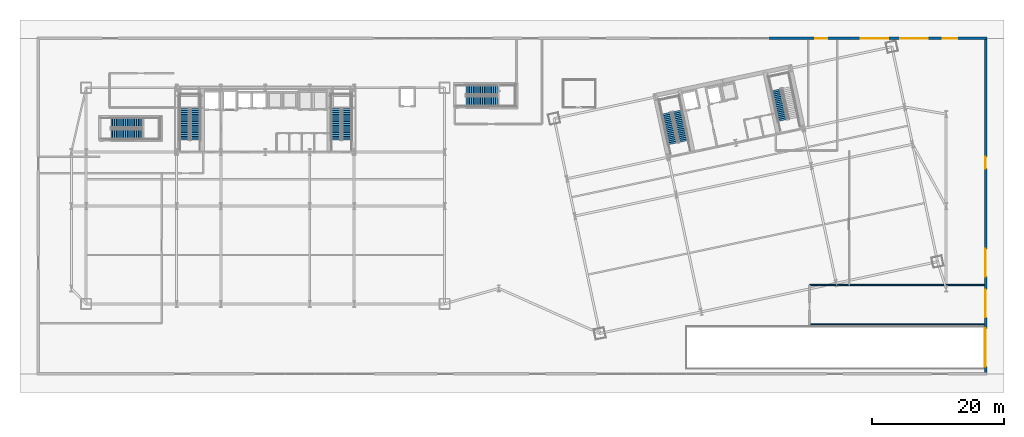
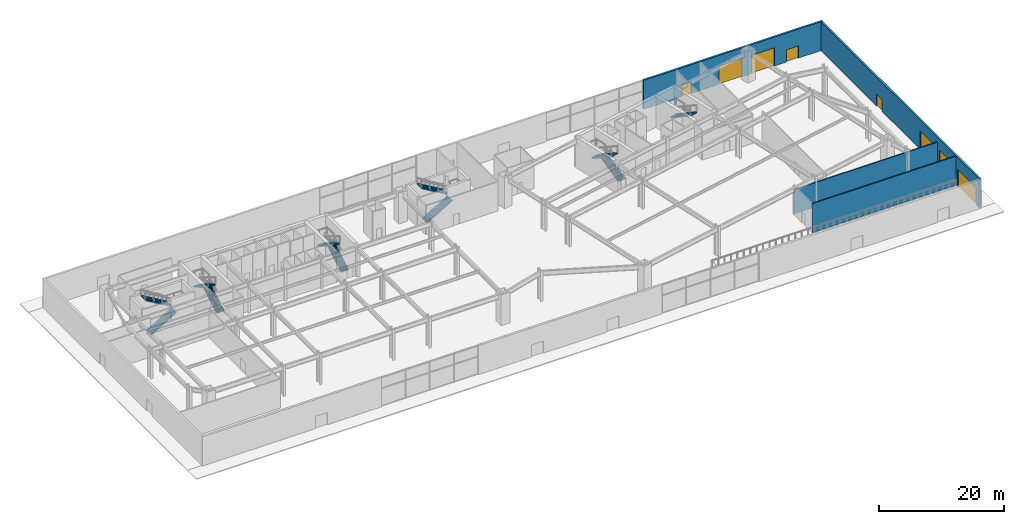
# One storey, part 24 of 30: 11 stair flights, 8 doors, 4 walls, 8 openings, 6 elements without a shape of their own.
"""IFC4 building model written with IfcOpenShell, lengths in metres."""

from ifc_helpers import new_model, si_unit, direction, frame, frame_2d, origin, place, context, subcontext, project, spatial, polyline, rectangle, outline, extrude, material, layer, layer_set, type_object, element, fill, aggregate, save


model = new_model("IFC4")

# Units and contexts
model_context = context("Model", 3, precision=1e-05, world=origin(), true_north=direction((0.0, 1.0)))
body_context = subcontext(model_context, "Body", "Model", "MODEL_VIEW")
ifc_project = project(units=[si_unit("LENGTHUNIT", "METRE"), si_unit("AREAUNIT", "SQUARE_METRE"), si_unit("VOLUMEUNIT", "CUBIC_METRE"), si_unit("PLANEANGLEUNIT", "RADIAN"), si_unit("MASSUNIT", "GRAM", prefix="KILO")], contexts=[model_context])

# Site, building, storey
site_placement = place(None, origin())
site = spatial("IfcSite", under=ifc_project, at=site_placement, CompositionType="ELEMENT")
building_placement = place(site_placement, origin())
building = spatial("IfcBuilding", under=site, at=building_placement, Name="Haevon Station Towers", CompositionType="ELEMENT")
storey_placement = place(building_placement, origin())
storey = spatial("IfcBuildingStorey", under=building, at=storey_placement, Name="L00", CompositionType="ELEMENT", Elevation=0.0)

# Walls
ifc_material_1 = material(Name="Gypsum board on steel stud", Category="steel")
ifc_layer_1 = layer(ifc_material_1, 0.199951171875)
ifc_layer_set_1 = layer_set([ifc_layer_1], Name="Gypsum board on steel stud")
wall_type_1 = type_object("IfcWallType", Name="WL-COR200", PredefinedType="PARTITIONING", material=ifc_layer_set_1)
wall_1_placement = place(storey_placement, frame((120.25, 12.0, 0.0), z_axis=(0.0, 0.0, 1.0), x_axis=(1.0, 0.0, 0.0)))
element("IfcWall", 1, at=wall_1_placement, inside=storey, type_object=wall_type_1, Name="WL-L00-LOADS", PredefinedType="PARTITIONING", context=body_context, shape_type="SweptSolid", body=[
    extrude(rectangle(XDim=26.550048828125, YDim=0.199951171875, at=frame_2d((13.27490234375, 0.0))), origin(), (0.0, 0.0, 1.0), 5.679931640625),
])
wall_2_placement = place(storey_placement, frame((120.25, 18.0, 0.0), z_axis=(0.0, 0.0, 1.0), x_axis=(1.0, 0.0, 0.0)))
element("IfcWall", 2, at=wall_2_placement, inside=storey, type_object=wall_type_1, Name="WL-L00-LOADN", PredefinedType="PARTITIONING", context=body_context, shape_type="SweptSolid", body=[
    extrude(rectangle(XDim=26.550048828125, YDim=0.199951171875, at=frame_2d((13.27490234375, 0.0))), origin(), (0.0, 0.0, 1.0), 4.780029296875),
])

# Wall, openings, doors
ifc_material_2 = material(Name="Precast concrete C45/55", Category="concrete")
ifc_layer_2 = layer(ifc_material_2, 0.360107421875)
ifc_layer_set_2 = layer_set([ifc_layer_2], Name="Precast concrete C45/55")
wall_type_2 = type_object("IfcWallType", Name="WL-EXT-POD360", PredefinedType="SOLIDWALL", material=ifc_layer_set_2)
wall_3_placement = place(storey_placement, frame((114.0, 55.5, 0.0), z_axis=(0.0, 0.0, 1.0), x_axis=(1.0, 0.0, 0.0)))
wall_3 = element("IfcWall", 3, at=wall_3_placement, inside=storey, type_object=wall_type_2, Name="WL-POD-L00-N3", PredefinedType="SOLIDWALL", context=body_context, shape_type="SweptSolid", body=[
    extrude(rectangle(XDim=33.179931640625, YDim=0.360107421875, at=frame_2d((16.58984375, 0.0))), origin(), (0.0, 0.0, 1.0), 5.679931640625),
])
opening_1_placement = place(wall_3_placement, frame((26.5, 0.0, 0.0)))
opening_1 = element("IfcOpeningElement", 4, at=opening_1_placement, cuts=wall_3, Name="Opening DR-L00-EXIT-08", PredefinedType="OPENING", context=body_context, shape_type="SweptSolid", body=[
    extrude(rectangle(XDim=2.199951171875, YDim=2.39990234375, at=frame_2d((1.10009765625, 1.199951171875))), frame((0.0, 0.18994140625, 0.0), z_axis=(0.0, -1.0, 0.0), x_axis=(1.0, 0.0, 0.0)), (0.0, 0.0, 1.0), 0.380126953125),
])
opening_2_placement = place(wall_3_placement, frame((7.10009765625, 0.0, 0.0)))
opening_2 = element("IfcOpeningElement", 5, at=opening_2_placement, cuts=wall_3, Name="Opening DR-L00-EXIT-ST4", PredefinedType="OPENING", context=body_context, shape_type="SweptSolid", body=[
    extrude(rectangle(XDim=1.800048828125, YDim=2.300048828125, at=frame_2d((0.89990234375, 1.14990234375))), frame((0.0, 0.18994140625, 0.0), z_axis=(0.0, -1.0, 0.0), x_axis=(1.0, 0.0, 0.0)), (0.0, 0.0, 1.0), 0.380126953125),
])
opening_3_placement = place(wall_3_placement, frame((14.0, 0.0, 0.0)))
opening_3 = element("IfcOpeningElement", 6, at=opening_3_placement, cuts=wall_3, Name="Opening VG-L00-LOAD-03", PredefinedType="OPENING", context=body_context, shape_type="SweptSolid", body=[
    extrude(rectangle(XDim=4.199951171875, YDim=3.60009765625, at=frame_2d((2.10009765625, 1.800048828125))), frame((0.0, 0.18994140625, 0.0), z_axis=(0.0, -1.0, 0.0), x_axis=(1.0, 0.0, 0.0)), (0.0, 0.0, 1.0), 0.380126953125),
])
opening_4_placement = place(wall_3_placement, frame((20.0, 0.0, 0.0)))
opening_4 = element("IfcOpeningElement", 7, at=opening_4_placement, cuts=wall_3, Name="Opening VG-L00-LOAD-04", PredefinedType="OPENING", context=body_context, shape_type="SweptSolid", body=[
    extrude(rectangle(XDim=4.199951171875, YDim=3.60009765625, at=frame_2d((2.10009765625, 1.800048828125))), frame((0.0, 0.18994140625, 0.0), z_axis=(0.0, -1.0, 0.0), x_axis=(1.0, 0.0, 0.0)), (0.0, 0.0, 1.0), 0.380126953125),
])
ifc_material_3 = material(Name="Thermally broken anodised aluminium and laminated safety glass", Category="aluminium")
door_type_1 = type_object("IfcDoorType", Name="DR-EXT-1800", OperationType="NOTDEFINED", PredefinedType="DOOR", material=ifc_material_3)
door_1_placement = place(opening_2_placement, origin())
door_1 = element("IfcDoor", 8, at=door_1_placement, inside=storey, type_object=door_type_1, Name="L00 Protected Exit Passageway ST4 Final Street Exit Door", OperationType="DOUBLE_DOOR_SINGLE_SWING", OverallHeight=2.300048828125, OverallWidth=1.800048828125, PredefinedType="DOOR", context=body_context, shape_type="SweptSolid", body=[
    extrude(rectangle(XDim=1.800048828125, YDim=2.300048828125, at=frame_2d((0.89990234375, 1.14990234375))), frame((0.0, 0.02490234375, 0.0), z_axis=(0.0, -1.0, 0.0), x_axis=(1.0, 0.0, 0.0)), (0.0, 0.0, 1.0), 0.050048828125),
])
fill(opening_2, door_1)
door_type_2 = type_object("IfcDoorType", Name="DR-EXT-2200", OperationType="NOTDEFINED", PredefinedType="DOOR", material=ifc_material_3)
door_2_placement = place(opening_1_placement, origin())
door_2 = element("IfcDoor", 9, at=door_2_placement, inside=storey, type_object=door_type_2, Name="L00 Pedestrian Street Exit Door 08", OperationType="DOUBLE_DOOR_SINGLE_SWING", OverallHeight=2.39990234375, OverallWidth=2.199951171875, PredefinedType="DOOR", context=body_context, shape_type="SweptSolid", body=[
    extrude(rectangle(XDim=2.199951171875, YDim=2.39990234375, at=frame_2d((1.10009765625, 1.199951171875))), frame((0.0, 0.02490234375, 0.0), z_axis=(0.0, -1.0, 0.0), x_axis=(1.0, 0.0, 0.0)), (0.0, 0.0, 1.0), 0.050048828125),
])
fill(opening_1, door_2)
door_type_3 = type_object("IfcDoorType", Name="DR-GATE-4200", OperationType="ROLLINGUP", PredefinedType="GATE", material=ifc_material_3)
door_3_placement = place(opening_3_placement, origin())
door_3 = element("IfcDoor", 10, at=door_3_placement, inside=storey, type_object=door_type_3, Name="Loading bay roller shutter GATE 03", OperationType="ROLLINGUP", OverallHeight=3.60009765625, OverallWidth=4.199951171875, PredefinedType="GATE", context=body_context, shape_type="SweptSolid", body=[
    extrude(rectangle(XDim=4.199951171875, YDim=3.60009765625, at=frame_2d((2.10009765625, 1.800048828125))), frame((0.0, 0.02490234375, 0.0), z_axis=(0.0, -1.0, 0.0), x_axis=(1.0, 0.0, 0.0)), (0.0, 0.0, 1.0), 0.050048828125),
])
fill(opening_3, door_3)
door_4_placement = place(opening_4_placement, origin())
door_4 = element("IfcDoor", 11, at=door_4_placement, inside=storey, type_object=door_type_3, Name="Loading bay roller shutter GATE 04", OperationType="ROLLINGUP", OverallHeight=3.60009765625, OverallWidth=4.199951171875, PredefinedType="GATE", context=body_context, shape_type="SweptSolid", body=[
    extrude(rectangle(XDim=4.199951171875, YDim=3.60009765625, at=frame_2d((2.10009765625, 1.800048828125))), frame((0.0, 0.02490234375, 0.0), z_axis=(0.0, -1.0, 0.0), x_axis=(1.0, 0.0, 0.0)), (0.0, 0.0, 1.0), 0.050048828125),
])
fill(opening_4, door_4)

wall_4_placement = place(storey_placement, frame((147.0, 55.5, 0.0), z_axis=(0.0, 0.0, 1.0), x_axis=(0.0, -1.0, 0.0)))
wall_4 = element("IfcWall", 12, at=wall_4_placement, inside=storey, type_object=wall_type_2, Name="WL-POD-L00-E", PredefinedType="SOLIDWALL", context=body_context, shape_type="SweptSolid", body=[
    extrude(rectangle(XDim=51.0, YDim=0.360107421875, at=frame_2d((25.5, 0.0))), origin(), (0.0, 0.0, 1.0), 5.679931640625),
])
opening_5_placement = place(wall_4_placement, frame((18.0, 0.0, 0.0)))
opening_5 = element("IfcOpeningElement", 13, at=opening_5_placement, cuts=wall_4, Name="Opening DR-L00-RET-02", PredefinedType="OPENING", context=body_context, shape_type="SweptSolid", body=[
    extrude(rectangle(XDim=1.800048828125, YDim=2.300048828125, at=frame_2d((0.89990234375, 1.14990234375))), frame((0.0, 0.18994140625, 0.0), z_axis=(0.0, -1.0, 0.0), x_axis=(1.0, 0.0, 0.0)), (0.0, 0.0, 1.0), 0.380126953125),
])
opening_6_placement = place(wall_4_placement, frame((44.10009765625, 0.0, 0.0)))
opening_6 = element("IfcOpeningElement", 14, at=opening_6_placement, cuts=wall_4, Name="Opening VG-L00-01", PredefinedType="OPENING", context=body_context, shape_type="SweptSolid", body=[
    extrude(rectangle(XDim=5.800048828125, YDim=3.39990234375, at=frame_2d((2.89990234375, 1.699951171875))), frame((0.0, 0.18994140625, 0.0), z_axis=(0.0, -1.0, 0.0), x_axis=(1.0, 0.0, 0.0)), (0.0, 0.0, 1.0), 0.380126953125),
])
opening_7_placement = place(wall_4_placement, frame((38.199951171875, 0.0, 0.0)))
opening_7 = element("IfcOpeningElement", 15, at=opening_7_placement, cuts=wall_4, Name="Opening VG-L00-LOAD-01", PredefinedType="OPENING", context=body_context, shape_type="SweptSolid", body=[
    extrude(rectangle(XDim=4.199951171875, YDim=3.60009765625, at=frame_2d((2.10009765625, 1.800048828125))), frame((0.0, 0.18994140625, 0.0), z_axis=(0.0, -1.0, 0.0), x_axis=(1.0, 0.0, 0.0)), (0.0, 0.0, 1.0), 0.380126953125),
])
opening_8_placement = place(wall_4_placement, frame((32.0, 0.0, 0.0)))
opening_8 = element("IfcOpeningElement", 16, at=opening_8_placement, cuts=wall_4, Name="Opening VG-L00-LOAD-02", PredefinedType="OPENING", context=body_context, shape_type="SweptSolid", body=[
    extrude(rectangle(XDim=4.199951171875, YDim=3.60009765625, at=frame_2d((2.10009765625, 1.800048828125))), frame((0.0, 0.18994140625, 0.0), z_axis=(0.0, -1.0, 0.0), x_axis=(1.0, 0.0, 0.0)), (0.0, 0.0, 1.0), 0.380126953125),
])
door_5_placement = place(opening_5_placement, origin())
door_5 = element("IfcDoor", 17, at=door_5_placement, inside=storey, type_object=door_type_1, Name="L00 East Cafe Street Entrance Door", OperationType="DOUBLE_DOOR_SINGLE_SWING", OverallHeight=2.300048828125, OverallWidth=1.800048828125, PredefinedType="DOOR", context=body_context, shape_type="SweptSolid", body=[
    extrude(rectangle(XDim=1.800048828125, YDim=2.300048828125, at=frame_2d((0.89990234375, 1.14990234375))), frame((0.0, 0.02490234375, 0.0), z_axis=(0.0, -1.0, 0.0), x_axis=(1.0, 0.0, 0.0)), (0.0, 0.0, 1.0), 0.050048828125),
])
fill(opening_5, door_5)
door_6_placement = place(opening_7_placement, origin())
door_6 = element("IfcDoor", 18, at=door_6_placement, inside=storey, type_object=door_type_3, Name="Loading bay roller shutter GATE 01", OperationType="ROLLINGUP", OverallHeight=3.60009765625, OverallWidth=4.199951171875, PredefinedType="GATE", context=body_context, shape_type="SweptSolid", body=[
    extrude(rectangle(XDim=4.199951171875, YDim=3.60009765625, at=frame_2d((2.10009765625, 1.800048828125))), frame((0.0, 0.02490234375, 0.0), z_axis=(0.0, -1.0, 0.0), x_axis=(1.0, 0.0, 0.0)), (0.0, 0.0, 1.0), 0.050048828125),
])
fill(opening_7, door_6)
door_7_placement = place(opening_8_placement, origin())
door_7 = element("IfcDoor", 19, at=door_7_placement, inside=storey, type_object=door_type_3, Name="Loading bay roller shutter GATE 02", OperationType="ROLLINGUP", OverallHeight=3.60009765625, OverallWidth=4.199951171875, PredefinedType="GATE", context=body_context, shape_type="SweptSolid", body=[
    extrude(rectangle(XDim=4.199951171875, YDim=3.60009765625, at=frame_2d((2.10009765625, 1.800048828125))), frame((0.0, 0.02490234375, 0.0), z_axis=(0.0, -1.0, 0.0), x_axis=(1.0, 0.0, 0.0)), (0.0, 0.0, 1.0), 0.050048828125),
])
fill(opening_8, door_7)
door_type_4 = type_object("IfcDoorType", Name="DR-GATE-5800", OperationType="ROLLINGUP", PredefinedType="GATE", material=ifc_material_3)
door_8_placement = place(opening_6_placement, origin())
door_8 = element("IfcDoor", 20, at=door_8_placement, inside=storey, type_object=door_type_4, Name="Car park ramp R1 street roller shutter GATE VG-L00-01", OperationType="ROLLINGUP", OverallHeight=3.39990234375, OverallWidth=5.800048828125, PredefinedType="GATE", context=body_context, shape_type="SweptSolid", body=[
    extrude(rectangle(XDim=5.800048828125, YDim=3.39990234375, at=frame_2d((2.89990234375, 1.699951171875))), frame((0.0, 0.02490234375, 0.0), z_axis=(0.0, -1.0, 0.0), x_axis=(1.0, 0.0, 0.0)), (0.0, 0.0, 1.0), 0.050048828125),
])
fill(opening_6, door_8)

# Stair, stair flights
ifc_material_4 = material(Name="Concrete C40/50", Category="concrete")
stair_type_1 = type_object("IfcStairType", Name="STR-DL1450", PredefinedType="USERDEFINED", material=ifc_material_4)
stair_1_placement = place(storey_placement, origin())
stair_1 = element("IfcStair", 21, at=stair_1_placement, inside=storey, type_object=stair_type_1, Name="L00 Escape Stair ST1", ObjectType="TWO_RETURN_STAIR", PredefinedType="USERDEFINED")
stair_flight_type_1 = type_object("IfcStairFlightType", Name="STF-ST1450", PredefinedType="STRAIGHT", material=ifc_material_4)
stair_flight_1_placement = place(storey_placement, frame((26.85498046875, 40.050048828125, 0.0), z_axis=(0.0, 0.0, 1.0), x_axis=(0.0, 1.0, 0.0)))
stair_flight_1 = element("IfcStairFlight", 22, at=stair_flight_1_placement, type_object=stair_flight_type_1, Name="L00 ST1 Flight 1", NumberOfRisers=18, NumberOfTreads=17, PredefinedType="STRAIGHT", RiserHeight=0.166666667, TreadLength=0.28, context=body_context, shape_type="SweptSolid", body=[
    extrude(outline(polyline([(0.0, 0.0), (0.0, 0.166748046875), (0.280029296875, 0.166748046875), (0.280029296875, 0.333251953125), (0.56005859375, 0.333251953125), (0.56005859375, 0.5), (0.840087890625, 0.5), (0.840087890625, 0.666748046875), (1.1201171875, 0.666748046875), (1.1201171875, 0.833251953125), (1.39990234375, 0.833251953125), (1.39990234375, 1.0), (1.679931640625, 1.0), (1.679931640625, 1.166748046875), (1.9599609375, 1.166748046875), (1.9599609375, 1.333251953125), (2.239990234375, 1.333251953125), (2.239990234375, 1.5), (2.52001953125, 1.5), (2.52001953125, 1.666748046875), (2.800048828125, 1.666748046875), (2.800048828125, 1.833251953125), (3.080078125, 1.833251953125), (3.080078125, 2.0), (3.360107421875, 2.0), (3.360107421875, 2.166748046875), (3.639892578125, 2.166748046875), (3.639892578125, 2.333251953125), (3.919921875, 2.333251953125), (3.919921875, 2.5), (4.199951171875, 2.5), (4.199951171875, 2.666748046875), (4.47998046875, 2.666748046875), (4.47998046875, 2.833251953125), (4.760009765625, 2.833251953125), (4.760009765625, 3.0), (4.760009765625, 2.647216796875), (0.312744140625, 0.0), (0.0, 0.0)])), frame((0.0, 0.72509765625, 0.0), z_axis=(0.0, -1.0, 0.0), x_axis=(1.0, 0.0, 0.0)), (0.0, 0.0, 1.0), 1.449951171875),
])
stair_flight_2_placement = place(storey_placement, frame((25.205078125, 44.81005859375, 3.0), z_axis=(0.0, 0.0, 1.0), x_axis=(0.0, -1.0, 0.0)))
stair_flight_2 = element("IfcStairFlight", 23, at=stair_flight_2_placement, type_object=stair_flight_type_1, Name="L00 ST1 Flight 2", NumberOfRisers=18, NumberOfTreads=17, PredefinedType="STRAIGHT", RiserHeight=0.166666667, TreadLength=0.28, context=body_context, shape_type="SweptSolid", body=[
    extrude(outline(polyline([(0.0, 0.0), (0.0, 0.166748046875), (0.280029296875, 0.166748046875), (0.280029296875, 0.333251953125), (0.56005859375, 0.333251953125), (0.56005859375, 0.5), (0.840087890625, 0.5), (0.840087890625, 0.666748046875), (1.1201171875, 0.666748046875), (1.1201171875, 0.833251953125), (1.39990234375, 0.833251953125), (1.39990234375, 1.0), (1.679931640625, 1.0), (1.679931640625, 1.166748046875), (1.9599609375, 1.166748046875), (1.9599609375, 1.333251953125), (2.239990234375, 1.333251953125), (2.239990234375, 1.5), (2.52001953125, 1.5), (2.52001953125, 1.666748046875), (2.800048828125, 1.666748046875), (2.800048828125, 1.833251953125), (3.080078125, 1.833251953125), (3.080078125, 2.0), (3.360107421875, 2.0), (3.360107421875, 2.166748046875), (3.639892578125, 2.166748046875), (3.639892578125, 2.333251953125), (3.919921875, 2.333251953125), (3.919921875, 2.5), (4.199951171875, 2.5), (4.199951171875, 2.666748046875), (4.47998046875, 2.666748046875), (4.47998046875, 2.833251953125), (4.760009765625, 2.833251953125), (4.760009765625, 3.0), (4.760009765625, 2.647216796875), (0.312744140625, 0.0), (0.0, 0.0)])), frame((0.0, 0.72509765625, 0.0), z_axis=(0.0, -1.0, 0.0), x_axis=(1.0, 0.0, 0.0)), (0.0, 0.0, 1.0), 1.449951171875),
])
aggregate(stair_1, [stair_flight_1, stair_flight_2])

stair_2_placement = place(storey_placement, origin())
stair_2 = element("IfcStair", 24, at=stair_2_placement, inside=storey, type_object=stair_type_1, Name="L00 Escape Stair ST2", ObjectType="TWO_RETURN_STAIR", PredefinedType="USERDEFINED")
stair_flight_3_placement = place(storey_placement, frame((49.89501953125, 40.050048828125, 0.0), z_axis=(0.0, 0.0, 1.0), x_axis=(0.0, 1.0, 0.0)))
stair_flight_3 = element("IfcStairFlight", 25, at=stair_flight_3_placement, type_object=stair_flight_type_1, Name="L00 ST2 Flight 1", NumberOfRisers=18, NumberOfTreads=17, PredefinedType="STRAIGHT", RiserHeight=0.166666667, TreadLength=0.28, context=body_context, shape_type="SweptSolid", body=[
    extrude(outline(polyline([(0.0, 0.0), (0.0, 0.166748046875), (0.280029296875, 0.166748046875), (0.280029296875, 0.333251953125), (0.56005859375, 0.333251953125), (0.56005859375, 0.5), (0.840087890625, 0.5), (0.840087890625, 0.666748046875), (1.1201171875, 0.666748046875), (1.1201171875, 0.833251953125), (1.39990234375, 0.833251953125), (1.39990234375, 1.0), (1.679931640625, 1.0), (1.679931640625, 1.166748046875), (1.9599609375, 1.166748046875), (1.9599609375, 1.333251953125), (2.239990234375, 1.333251953125), (2.239990234375, 1.5), (2.52001953125, 1.5), (2.52001953125, 1.666748046875), (2.800048828125, 1.666748046875), (2.800048828125, 1.833251953125), (3.080078125, 1.833251953125), (3.080078125, 2.0), (3.360107421875, 2.0), (3.360107421875, 2.166748046875), (3.639892578125, 2.166748046875), (3.639892578125, 2.333251953125), (3.919921875, 2.333251953125), (3.919921875, 2.5), (4.199951171875, 2.5), (4.199951171875, 2.666748046875), (4.47998046875, 2.666748046875), (4.47998046875, 2.833251953125), (4.760009765625, 2.833251953125), (4.760009765625, 3.0), (4.760009765625, 2.647216796875), (0.312744140625, 0.0), (0.0, 0.0)])), frame((0.0, 0.72509765625, 0.0), z_axis=(0.0, -1.0, 0.0), x_axis=(1.0, 0.0, 0.0)), (0.0, 0.0, 1.0), 1.449951171875),
])
stair_flight_4_placement = place(storey_placement, frame((48.2451171875, 44.81005859375, 3.0), z_axis=(0.0, 0.0, 1.0), x_axis=(0.0, -1.0, 0.0)))
stair_flight_4 = element("IfcStairFlight", 26, at=stair_flight_4_placement, type_object=stair_flight_type_1, Name="L00 ST2 Flight 2", NumberOfRisers=18, NumberOfTreads=17, PredefinedType="STRAIGHT", RiserHeight=0.166666667, TreadLength=0.28, context=body_context, shape_type="SweptSolid", body=[
    extrude(outline(polyline([(0.0, 0.0), (0.0, 0.166748046875), (0.280029296875, 0.166748046875), (0.280029296875, 0.333251953125), (0.56005859375, 0.333251953125), (0.56005859375, 0.5), (0.840087890625, 0.5), (0.840087890625, 0.666748046875), (1.1201171875, 0.666748046875), (1.1201171875, 0.833251953125), (1.39990234375, 0.833251953125), (1.39990234375, 1.0), (1.679931640625, 1.0), (1.679931640625, 1.166748046875), (1.9599609375, 1.166748046875), (1.9599609375, 1.333251953125), (2.239990234375, 1.333251953125), (2.239990234375, 1.5), (2.52001953125, 1.5), (2.52001953125, 1.666748046875), (2.800048828125, 1.666748046875), (2.800048828125, 1.833251953125), (3.080078125, 1.833251953125), (3.080078125, 2.0), (3.360107421875, 2.0), (3.360107421875, 2.166748046875), (3.639892578125, 2.166748046875), (3.639892578125, 2.333251953125), (3.919921875, 2.333251953125), (3.919921875, 2.5), (4.199951171875, 2.5), (4.199951171875, 2.666748046875), (4.47998046875, 2.666748046875), (4.47998046875, 2.833251953125), (4.760009765625, 2.833251953125), (4.760009765625, 3.0), (4.760009765625, 2.647216796875), (0.312744140625, 0.0), (0.0, 0.0)])), frame((0.0, 0.72509765625, 0.0), z_axis=(0.0, -1.0, 0.0), x_axis=(1.0, 0.0, 0.0)), (0.0, 0.0, 1.0), 1.449951171875),
])
aggregate(stair_2, [stair_flight_3, stair_flight_4])

stair_3_placement = place(storey_placement, origin())
stair_3 = element("IfcStair", 27, at=stair_3_placement, inside=storey, type_object=stair_type_1, Name="L00 Escape Stair ST3", ObjectType="TWO_RETURN_STAIR", PredefinedType="USERDEFINED")
stair_flight_5_placement = place(storey_placement, frame((101.1015625, 39.8330078125, 0.0), z_axis=(0.0, 0.0, 1.0), x_axis=(-0.207911690818, 0.978147600734, 0.0)))
stair_flight_5 = element("IfcStairFlight", 28, at=stair_flight_5_placement, type_object=stair_flight_type_1, Name="L00 ST3 Flight 1", NumberOfRisers=18, NumberOfTreads=17, PredefinedType="STRAIGHT", RiserHeight=0.166666667, TreadLength=0.28, context=body_context, shape_type="SweptSolid", body=[
    extrude(outline(polyline([(0.0, 0.0), (0.0, 0.166748046875), (0.280029296875, 0.166748046875), (0.280029296875, 0.333251953125), (0.56005859375, 0.333251953125), (0.56005859375, 0.5), (0.840087890625, 0.5), (0.840087890625, 0.666748046875), (1.1201171875, 0.666748046875), (1.1201171875, 0.833251953125), (1.39990234375, 0.833251953125), (1.39990234375, 1.0), (1.679931640625, 1.0), (1.679931640625, 1.166748046875), (1.9599609375, 1.166748046875), (1.9599609375, 1.333251953125), (2.239990234375, 1.333251953125), (2.239990234375, 1.5), (2.52001953125, 1.5), (2.52001953125, 1.666748046875), (2.800048828125, 1.666748046875), (2.800048828125, 1.833251953125), (3.080078125, 1.833251953125), (3.080078125, 2.0), (3.360107421875, 2.0), (3.360107421875, 2.166748046875), (3.639892578125, 2.166748046875), (3.639892578125, 2.333251953125), (3.919921875, 2.333251953125), (3.919921875, 2.5), (4.199951171875, 2.5), (4.199951171875, 2.666748046875), (4.47998046875, 2.666748046875), (4.47998046875, 2.833251953125), (4.760009765625, 2.833251953125), (4.760009765625, 3.0), (4.760009765625, 2.647216796875), (0.312744140625, 0.0), (0.0, 0.0)])), frame((0.0, 0.72509765625, 0.0), z_axis=(0.0, -1.0, 0.0), x_axis=(1.0, 0.0, 0.0)), (0.0, 0.0, 1.0), 1.449951171875),
])
stair_flight_6_placement = place(storey_placement, frame((98.498046875, 44.14599609375, 3.0), z_axis=(0.0, 0.0, 1.0), x_axis=(0.207911690818, -0.978147600734, 0.0)))
stair_flight_6 = element("IfcStairFlight", 29, at=stair_flight_6_placement, type_object=stair_flight_type_1, Name="L00 ST3 Flight 2", NumberOfRisers=18, NumberOfTreads=17, PredefinedType="STRAIGHT", RiserHeight=0.166666667, TreadLength=0.28, context=body_context, shape_type="SweptSolid", body=[
    extrude(outline(polyline([(0.0, 0.0), (0.0, 0.166748046875), (0.280029296875, 0.166748046875), (0.280029296875, 0.333251953125), (0.56005859375, 0.333251953125), (0.56005859375, 0.5), (0.840087890625, 0.5), (0.840087890625, 0.666748046875), (1.1201171875, 0.666748046875), (1.1201171875, 0.833251953125), (1.39990234375, 0.833251953125), (1.39990234375, 1.0), (1.679931640625, 1.0), (1.679931640625, 1.166748046875), (1.9599609375, 1.166748046875), (1.9599609375, 1.333251953125), (2.239990234375, 1.333251953125), (2.239990234375, 1.5), (2.52001953125, 1.5), (2.52001953125, 1.666748046875), (2.800048828125, 1.666748046875), (2.800048828125, 1.833251953125), (3.080078125, 1.833251953125), (3.080078125, 2.0), (3.360107421875, 2.0), (3.360107421875, 2.166748046875), (3.639892578125, 2.166748046875), (3.639892578125, 2.333251953125), (3.919921875, 2.333251953125), (3.919921875, 2.5), (4.199951171875, 2.5), (4.199951171875, 2.666748046875), (4.47998046875, 2.666748046875), (4.47998046875, 2.833251953125), (4.760009765625, 2.833251953125), (4.760009765625, 3.0), (4.760009765625, 2.647216796875), (0.312744140625, 0.0), (0.0, 0.0)])), frame((0.0, 0.72509765625, 0.0), z_axis=(0.0, -1.0, 0.0), x_axis=(1.0, 0.0, 0.0)), (0.0, 0.0, 1.0), 1.449951171875),
])
aggregate(stair_3, [stair_flight_5, stair_flight_6])

# Stair, stair flight
stair_4_placement = place(storey_placement, origin())
stair_4 = element("IfcStair", 30, at=stair_4_placement, inside=storey, type_object=stair_type_1, Name="L00 Escape Stair ST4", ObjectType="TWO_RETURN_STAIR", PredefinedType="USERDEFINED")
stair_flight_7_placement = place(storey_placement, frame((115.185302734375, 47.693115234375, 3.0), z_axis=(0.0, 0.0, 1.0), x_axis=(0.207911690818, -0.978147600734, 0.0)))
stair_flight_7 = element("IfcStairFlight", 31, at=stair_flight_7_placement, type_object=stair_flight_type_1, Name="L00 ST4 Flight 2", NumberOfRisers=18, NumberOfTreads=17, PredefinedType="STRAIGHT", RiserHeight=0.166666667, TreadLength=0.28, context=body_context, shape_type="SweptSolid", body=[
    extrude(outline(polyline([(0.0, 0.0), (0.0, 0.166748046875), (0.280029296875, 0.166748046875), (0.280029296875, 0.333251953125), (0.56005859375, 0.333251953125), (0.56005859375, 0.5), (0.840087890625, 0.5), (0.840087890625, 0.666748046875), (1.1201171875, 0.666748046875), (1.1201171875, 0.833251953125), (1.39990234375, 0.833251953125), (1.39990234375, 1.0), (1.679931640625, 1.0), (1.679931640625, 1.166748046875), (1.9599609375, 1.166748046875), (1.9599609375, 1.333251953125), (2.239990234375, 1.333251953125), (2.239990234375, 1.5), (2.52001953125, 1.5), (2.52001953125, 1.666748046875), (2.800048828125, 1.666748046875), (2.800048828125, 1.833251953125), (3.080078125, 1.833251953125), (3.080078125, 2.0), (3.360107421875, 2.0), (3.360107421875, 2.166748046875), (3.639892578125, 2.166748046875), (3.639892578125, 2.333251953125), (3.919921875, 2.333251953125), (3.919921875, 2.5), (4.199951171875, 2.5), (4.199951171875, 2.666748046875), (4.47998046875, 2.666748046875), (4.47998046875, 2.833251953125), (4.760009765625, 2.833251953125), (4.760009765625, 3.0), (4.760009765625, 2.647216796875), (0.312744140625, 0.0), (0.0, 0.0)])), frame((0.0, 0.72509765625, 0.0), z_axis=(0.0, -1.0, 0.0), x_axis=(1.0, 0.0, 0.0)), (0.0, 0.0, 1.0), 1.449951171875),
])
aggregate(stair_4, [stair_flight_7])

# Stair, stair flights
stair_type_2 = type_object("IfcStairType", Name="STR-DL1500", PredefinedType="USERDEFINED", material=ifc_material_4)
stair_5_placement = place(storey_placement, origin())
stair_5 = element("IfcStair", 32, at=stair_5_placement, inside=storey, type_object=stair_type_2, Name="L00 Escape Stair ST5", ObjectType="TWO_RETURN_STAIR", PredefinedType="USERDEFINED")
stair_flight_type_2 = type_object("IfcStairFlightType", Name="STF-ST1500", PredefinedType="STRAIGHT", material=ifc_material_4)
stair_flight_8_placement = place(storey_placement, frame((14.0, 40.949951171875, 0.0), z_axis=(0.0, 0.0, 1.0), x_axis=(1.0, 0.0, 0.0)))
stair_flight_8 = element("IfcStairFlight", 33, at=stair_flight_8_placement, type_object=stair_flight_type_2, Name="L00 ST5 Flight 1", NumberOfRisers=18, NumberOfTreads=17, PredefinedType="STRAIGHT", RiserHeight=0.166666667, TreadLength=0.28, context=body_context, shape_type="SweptSolid", body=[
    extrude(outline(polyline([(0.0, 0.0), (0.0, 0.166748046875), (0.280029296875, 0.166748046875), (0.280029296875, 0.333251953125), (0.56005859375, 0.333251953125), (0.56005859375, 0.5), (0.840087890625, 0.5), (0.840087890625, 0.666748046875), (1.1201171875, 0.666748046875), (1.1201171875, 0.833251953125), (1.39990234375, 0.833251953125), (1.39990234375, 1.0), (1.679931640625, 1.0), (1.679931640625, 1.166748046875), (1.9599609375, 1.166748046875), (1.9599609375, 1.333251953125), (2.239990234375, 1.333251953125), (2.239990234375, 1.5), (2.52001953125, 1.5), (2.52001953125, 1.666748046875), (2.800048828125, 1.666748046875), (2.800048828125, 1.833251953125), (3.080078125, 1.833251953125), (3.080078125, 2.0), (3.360107421875, 2.0), (3.360107421875, 2.166748046875), (3.639892578125, 2.166748046875), (3.639892578125, 2.333251953125), (3.919921875, 2.333251953125), (3.919921875, 2.5), (4.199951171875, 2.5), (4.199951171875, 2.666748046875), (4.47998046875, 2.666748046875), (4.47998046875, 2.833251953125), (4.760009765625, 2.833251953125), (4.760009765625, 3.0), (4.760009765625, 2.647216796875), (0.312744140625, 0.0), (0.0, 0.0)])), frame((0.0, 0.75, 0.0), z_axis=(0.0, -1.0, 0.0), x_axis=(1.0, 0.0, 0.0)), (0.0, 0.0, 1.0), 1.5),
])
stair_flight_9_placement = place(storey_placement, frame((18.760009765625, 42.64990234375, 3.0), z_axis=(0.0, 0.0, 1.0), x_axis=(-1.0, 0.0, 0.0)))
stair_flight_9 = element("IfcStairFlight", 34, at=stair_flight_9_placement, type_object=stair_flight_type_2, Name="L00 ST5 Flight 2", NumberOfRisers=18, NumberOfTreads=17, PredefinedType="STRAIGHT", RiserHeight=0.166666667, TreadLength=0.28, context=body_context, shape_type="SweptSolid", body=[
    extrude(outline(polyline([(0.0, 0.0), (0.0, 0.166748046875), (0.280029296875, 0.166748046875), (0.280029296875, 0.333251953125), (0.56005859375, 0.333251953125), (0.56005859375, 0.5), (0.840087890625, 0.5), (0.840087890625, 0.666748046875), (1.1201171875, 0.666748046875), (1.1201171875, 0.833251953125), (1.39990234375, 0.833251953125), (1.39990234375, 1.0), (1.679931640625, 1.0), (1.679931640625, 1.166748046875), (1.9599609375, 1.166748046875), (1.9599609375, 1.333251953125), (2.239990234375, 1.333251953125), (2.239990234375, 1.5), (2.52001953125, 1.5), (2.52001953125, 1.666748046875), (2.800048828125, 1.666748046875), (2.800048828125, 1.833251953125), (3.080078125, 1.833251953125), (3.080078125, 2.0), (3.360107421875, 2.0), (3.360107421875, 2.166748046875), (3.639892578125, 2.166748046875), (3.639892578125, 2.333251953125), (3.919921875, 2.333251953125), (3.919921875, 2.5), (4.199951171875, 2.5), (4.199951171875, 2.666748046875), (4.47998046875, 2.666748046875), (4.47998046875, 2.833251953125), (4.760009765625, 2.833251953125), (4.760009765625, 3.0), (4.760009765625, 2.647216796875), (0.312744140625, 0.0), (0.0, 0.0)])), frame((0.0, 0.75, 0.0), z_axis=(0.0, -1.0, 0.0), x_axis=(1.0, 0.0, 0.0)), (0.0, 0.0, 1.0), 1.5),
])
aggregate(stair_5, [stair_flight_8, stair_flight_9])

stair_6_placement = place(storey_placement, origin())
stair_6 = element("IfcStair", 35, at=stair_6_placement, inside=storey, type_object=stair_type_2, Name="L00 Escape Stair ST6", ObjectType="TWO_RETURN_STAIR", PredefinedType="USERDEFINED")
stair_flight_10_placement = place(storey_placement, frame((68.0, 45.949951171875, 0.0), z_axis=(0.0, 0.0, 1.0), x_axis=(1.0, 0.0, 0.0)))
stair_flight_10 = element("IfcStairFlight", 36, at=stair_flight_10_placement, type_object=stair_flight_type_2, Name="L00 ST6 Flight 1", NumberOfRisers=18, NumberOfTreads=17, PredefinedType="STRAIGHT", RiserHeight=0.166666667, TreadLength=0.28, context=body_context, shape_type="SweptSolid", body=[
    extrude(outline(polyline([(0.0, 0.0), (0.0, 0.166748046875), (0.280029296875, 0.166748046875), (0.280029296875, 0.333251953125), (0.56005859375, 0.333251953125), (0.56005859375, 0.5), (0.840087890625, 0.5), (0.840087890625, 0.666748046875), (1.1201171875, 0.666748046875), (1.1201171875, 0.833251953125), (1.39990234375, 0.833251953125), (1.39990234375, 1.0), (1.679931640625, 1.0), (1.679931640625, 1.166748046875), (1.9599609375, 1.166748046875), (1.9599609375, 1.333251953125), (2.239990234375, 1.333251953125), (2.239990234375, 1.5), (2.52001953125, 1.5), (2.52001953125, 1.666748046875), (2.800048828125, 1.666748046875), (2.800048828125, 1.833251953125), (3.080078125, 1.833251953125), (3.080078125, 2.0), (3.360107421875, 2.0), (3.360107421875, 2.166748046875), (3.639892578125, 2.166748046875), (3.639892578125, 2.333251953125), (3.919921875, 2.333251953125), (3.919921875, 2.5), (4.199951171875, 2.5), (4.199951171875, 2.666748046875), (4.47998046875, 2.666748046875), (4.47998046875, 2.833251953125), (4.760009765625, 2.833251953125), (4.760009765625, 3.0), (4.760009765625, 2.647216796875), (0.312744140625, 0.0), (0.0, 0.0)])), frame((0.0, 0.75, 0.0), z_axis=(0.0, -1.0, 0.0), x_axis=(1.0, 0.0, 0.0)), (0.0, 0.0, 1.0), 1.5),
])
stair_flight_11_placement = place(storey_placement, frame((72.760009765625, 47.64990234375, 3.0), z_axis=(0.0, 0.0, 1.0), x_axis=(-1.0, 0.0, 0.0)))
stair_flight_11 = element("IfcStairFlight", 37, at=stair_flight_11_placement, type_object=stair_flight_type_2, Name="L00 ST6 Flight 2", NumberOfRisers=18, NumberOfTreads=17, PredefinedType="STRAIGHT", RiserHeight=0.166666667, TreadLength=0.28, context=body_context, shape_type="SweptSolid", body=[
    extrude(outline(polyline([(0.0, 0.0), (0.0, 0.166748046875), (0.280029296875, 0.166748046875), (0.280029296875, 0.333251953125), (0.56005859375, 0.333251953125), (0.56005859375, 0.5), (0.840087890625, 0.5), (0.840087890625, 0.666748046875), (1.1201171875, 0.666748046875), (1.1201171875, 0.833251953125), (1.39990234375, 0.833251953125), (1.39990234375, 1.0), (1.679931640625, 1.0), (1.679931640625, 1.166748046875), (1.9599609375, 1.166748046875), (1.9599609375, 1.333251953125), (2.239990234375, 1.333251953125), (2.239990234375, 1.5), (2.52001953125, 1.5), (2.52001953125, 1.666748046875), (2.800048828125, 1.666748046875), (2.800048828125, 1.833251953125), (3.080078125, 1.833251953125), (3.080078125, 2.0), (3.360107421875, 2.0), (3.360107421875, 2.166748046875), (3.639892578125, 2.166748046875), (3.639892578125, 2.333251953125), (3.919921875, 2.333251953125), (3.919921875, 2.5), (4.199951171875, 2.5), (4.199951171875, 2.666748046875), (4.47998046875, 2.666748046875), (4.47998046875, 2.833251953125), (4.760009765625, 2.833251953125), (4.760009765625, 3.0), (4.760009765625, 2.647216796875), (0.312744140625, 0.0), (0.0, 0.0)])), frame((0.0, 0.75, 0.0), z_axis=(0.0, -1.0, 0.0), x_axis=(1.0, 0.0, 0.0)), (0.0, 0.0, 1.0), 1.5),
])
aggregate(stair_6, [stair_flight_10, stair_flight_11])

save(model, "model.ifc")
